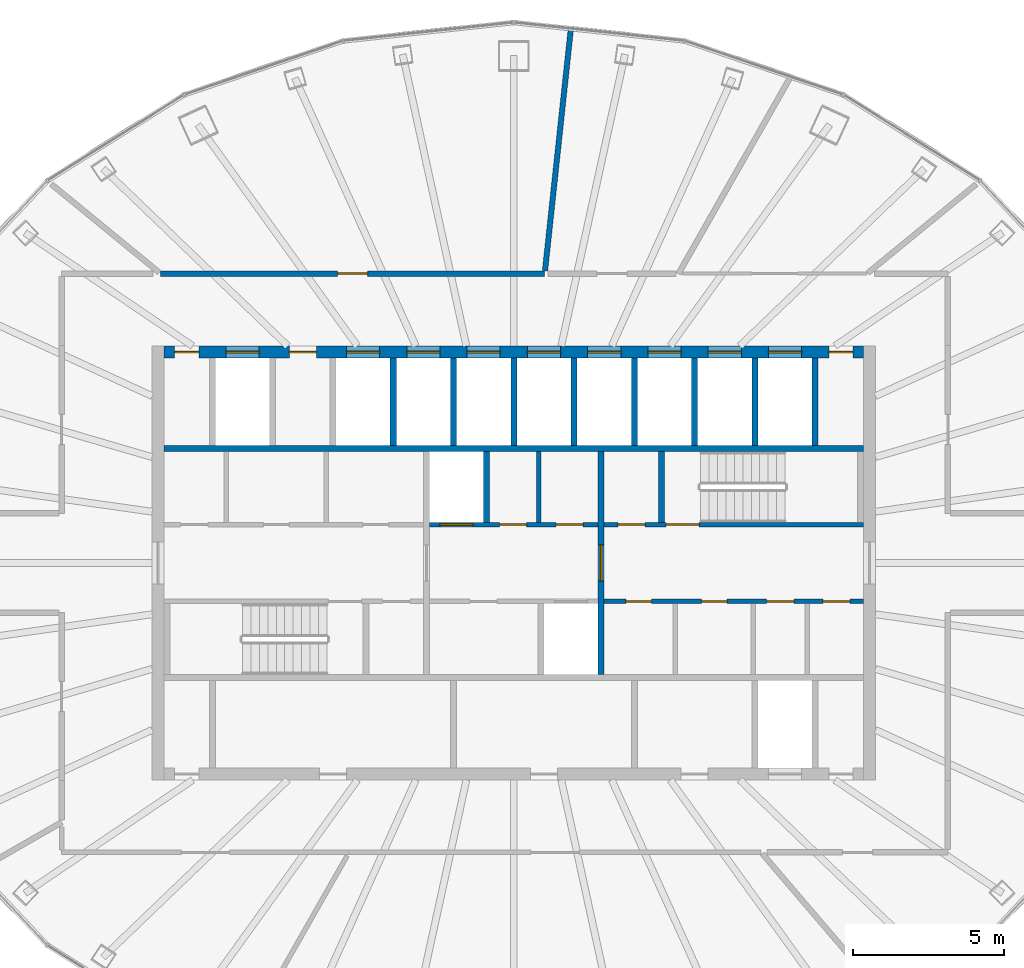
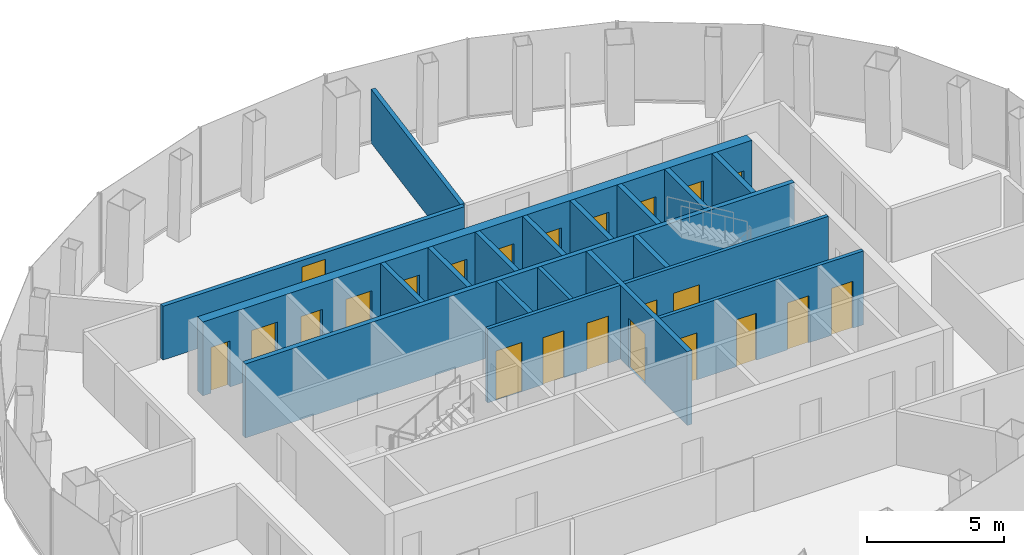
# One storey, part 9 of 11: 23 doors, 19 walls, 23 openings.
"""IFC4 building model written with IfcOpenShell, lengths in metres."""

from ifc_helpers import new_model, si_unit, direction, frame, frame_2d, origin, place, context, subcontext, project, spatial, rectangle, extrude, material, layer, layer_set, type_object, element, fill, save


model = new_model("IFC4")

# Units and contexts
model_context = context("Model", 3, precision=1e-05, world=origin(), true_north=direction((0.0, 1.0)))
body_context = subcontext(model_context, "Body", "Model", "MODEL_VIEW")
ifc_project = project(units=[si_unit("LENGTHUNIT", "METRE"), si_unit("AREAUNIT", "SQUARE_METRE"), si_unit("VOLUMEUNIT", "CUBIC_METRE"), si_unit("PLANEANGLEUNIT", "RADIAN"), si_unit("MASSUNIT", "GRAM", prefix="KILO")], contexts=[model_context])

# Site, building, storey
site_placement = place(None, origin())
site = spatial("IfcSite", under=ifc_project, at=site_placement, CompositionType="ELEMENT")
building_placement = place(site_placement, origin())
building = spatial("IfcBuilding", under=site, at=building_placement, Name="Siaravel Broadcast Tower", CompositionType="ELEMENT")
storey_placement = place(building_placement, frame((0.0, 0.0, 220.800048828125)))
storey = spatial("IfcBuildingStorey", under=building, at=storey_placement, Name="L53", CompositionType="ELEMENT", Elevation=220.800048828125)

# Wall
ifc_material_1 = material(Name="Concrete blockwork", Category="masonry")
ifc_layer_1 = layer(ifc_material_1, 0.14990234375)
ifc_layer_set_1 = layer_set([ifc_layer_1], Name="Concrete blockwork")
wall_type_1 = type_object("IfcWallType", Name="Core partition 150", PredefinedType="PARTITIONING", material=ifc_layer_set_1)
wall_1_placement = place(storey_placement, frame((0.827392578125, 1.35009765625, 0.0), z_axis=(0.0, 0.0, 1.0), x_axis=(0.0, 1.0, 0.0)))
element("IfcWall", 1, at=wall_1_placement, inside=storey, type_object=wall_type_1, Name="L53 core partition PNM0", PredefinedType="PARTITIONING", context=body_context, shape_type="SweptSolid", body=[
    extrude(rectangle(XDim=2.349853515625, YDim=0.14990234375, at=frame_2d((1.1748046875, 0.0))), origin(), (0.0, 0.0, 1.0), 3.300048828125),
])

# Wall, openings, doors
ifc_material_2 = material(Name="Concrete C60/75", Category="concrete")
ifc_layer_2 = layer(ifc_material_2, 0.39990234375)
ifc_layer_set_2 = layer_set([ifc_layer_2], Name="Concrete C60/75")
wall_type_2 = type_object("IfcWallType", Name="Core wall 400", PredefinedType="SHEAR", material=ifc_layer_set_2)
wall_2_placement = place(storey_placement, frame((-11.60009765625, 7.0, 0.0), z_axis=(0.0, 0.0, 1.0), x_axis=(1.0, 0.0, 0.0)))
wall_2 = element("IfcWall", 2, at=wall_2_placement, inside=storey, type_object=wall_type_2, Name="L53 core wall ON", PredefinedType="SHEAR", context=body_context, shape_type="SweptSolid", body=[
    extrude(rectangle(XDim=23.2001953125, YDim=0.39990234375, at=frame_2d((11.60009765625, 0.0))), origin(), (0.0, 0.0, 1.0), 3.300048828125),
])
opening_1_placement = place(wall_2_placement, frame((2.050048828125, 0.0, 0.0)))
opening_1 = element("IfcOpeningElement", 3, at=opening_1_placement, cuts=wall_2, Name="Opening LD-SV2-L53", PredefinedType="OPENING", context=body_context, shape_type="SweptSolid", body=[
    extrude(rectangle(XDim=1.10009765625, YDim=2.199951171875, at=frame_2d((0.550048828125, 1.10009765625))), frame((0.0, 0.2099609375, 0.0), z_axis=(0.0, -1.0, 0.0), x_axis=(1.0, 0.0, 0.0)), (0.0, 0.0, 1.0), 0.419921875),
])
opening_2_placement = place(wall_2_placement, frame((6.050048828125, 0.0, 0.0)))
opening_2 = element("IfcOpeningElement", 4, at=opening_2_placement, cuts=wall_2, Name="Opening LD-HP1-L53", PredefinedType="OPENING", context=body_context, shape_type="SweptSolid", body=[
    extrude(rectangle(XDim=1.10009765625, YDim=2.199951171875, at=frame_2d((0.550048828125, 1.10009765625))), frame((0.0, 0.2099609375, 0.0), z_axis=(0.0, -1.0, 0.0), x_axis=(1.0, 0.0, 0.0)), (0.0, 0.0, 1.0), 0.419921875),
])
opening_3_placement = place(wall_2_placement, frame((8.050048828125, 0.0, 0.0)))
opening_3 = element("IfcOpeningElement", 5, at=opening_3_placement, cuts=wall_2, Name="Opening LD-HP2-L53", PredefinedType="OPENING", context=body_context, shape_type="SweptSolid", body=[
    extrude(rectangle(XDim=1.10009765625, YDim=2.199951171875, at=frame_2d((0.550048828125, 1.10009765625))), frame((0.0, 0.2099609375, 0.0), z_axis=(0.0, -1.0, 0.0), x_axis=(1.0, 0.0, 0.0)), (0.0, 0.0, 1.0), 0.419921875),
])
opening_4_placement = place(wall_2_placement, frame((10.050048828125, 0.0, 0.0)))
opening_4 = element("IfcOpeningElement", 6, at=opening_4_placement, cuts=wall_2, Name="Opening LD-HP3-L53", PredefinedType="OPENING", context=body_context, shape_type="SweptSolid", body=[
    extrude(rectangle(XDim=1.10009765625, YDim=2.199951171875, at=frame_2d((0.550048828125, 1.10009765625))), frame((0.0, 0.2099609375, 0.0), z_axis=(0.0, -1.0, 0.0), x_axis=(1.0, 0.0, 0.0)), (0.0, 0.0, 1.0), 0.419921875),
])
opening_5_placement = place(wall_2_placement, frame((12.050048828125, 0.0, 0.0)))
opening_5 = element("IfcOpeningElement", 7, at=opening_5_placement, cuts=wall_2, Name="Opening LD-HP4-L53", PredefinedType="OPENING", context=body_context, shape_type="SweptSolid", body=[
    extrude(rectangle(XDim=1.10009765625, YDim=2.199951171875, at=frame_2d((0.550048828125, 1.10009765625))), frame((0.0, 0.2099609375, 0.0), z_axis=(0.0, -1.0, 0.0), x_axis=(1.0, 0.0, 0.0)), (0.0, 0.0, 1.0), 0.419921875),
])
opening_6_placement = place(wall_2_placement, frame((14.050048828125, 0.0, 0.0)))
opening_6 = element("IfcOpeningElement", 8, at=opening_6_placement, cuts=wall_2, Name="Opening LD-HP5-L53", PredefinedType="OPENING", context=body_context, shape_type="SweptSolid", body=[
    extrude(rectangle(XDim=1.10009765625, YDim=2.199951171875, at=frame_2d((0.550048828125, 1.10009765625))), frame((0.0, 0.2099609375, 0.0), z_axis=(0.0, -1.0, 0.0), x_axis=(1.0, 0.0, 0.0)), (0.0, 0.0, 1.0), 0.419921875),
])
opening_7_placement = place(wall_2_placement, frame((16.050048828125, 0.0, 0.0)))
opening_7 = element("IfcOpeningElement", 9, at=opening_7_placement, cuts=wall_2, Name="Opening LD-HP6-L53", PredefinedType="OPENING", context=body_context, shape_type="SweptSolid", body=[
    extrude(rectangle(XDim=1.10009765625, YDim=2.199951171875, at=frame_2d((0.550048828125, 1.10009765625))), frame((0.0, 0.2099609375, 0.0), z_axis=(0.0, -1.0, 0.0), x_axis=(1.0, 0.0, 0.0)), (0.0, 0.0, 1.0), 0.419921875),
])
opening_8_placement = place(wall_2_placement, frame((18.050048828125, 0.0, 0.0)))
opening_8 = element("IfcOpeningElement", 10, at=opening_8_placement, cuts=wall_2, Name="Opening LD-HP7-L53", PredefinedType="OPENING", context=body_context, shape_type="SweptSolid", body=[
    extrude(rectangle(XDim=1.10009765625, YDim=2.199951171875, at=frame_2d((0.550048828125, 1.10009765625))), frame((0.0, 0.2099609375, 0.0), z_axis=(0.0, -1.0, 0.0), x_axis=(1.0, 0.0, 0.0)), (0.0, 0.0, 1.0), 0.419921875),
])
opening_9_placement = place(wall_2_placement, frame((20.050048828125, 0.0, 0.0)))
opening_9 = element("IfcOpeningElement", 11, at=opening_9_placement, cuts=wall_2, Name="Opening LD-HP8-L53", PredefinedType="OPENING", context=body_context, shape_type="SweptSolid", body=[
    extrude(rectangle(XDim=1.10009765625, YDim=2.199951171875, at=frame_2d((0.550048828125, 1.10009765625))), frame((0.0, 0.2099609375, 0.0), z_axis=(0.0, -1.0, 0.0), x_axis=(1.0, 0.0, 0.0)), (0.0, 0.0, 1.0), 0.419921875),
])
opening_10_placement = place(wall_2_placement, frame((4.14990234375, 0.0, 0.0)))
opening_10 = element("IfcOpeningElement", 12, at=opening_10_placement, cuts=wall_2, Name="Opening L53-DFN1", PredefinedType="OPENING", context=body_context, shape_type="SweptSolid", body=[
    extrude(rectangle(XDim=0.89990234375, YDim=2.10009765625, at=frame_2d((0.449951171875, 1.050048828125))), frame((0.0, 0.2099609375, 0.0), z_axis=(0.0, -1.0, 0.0), x_axis=(1.0, 0.0, 0.0)), (0.0, 0.0, 1.0), 0.419921875),
])
opening_11_placement = place(wall_2_placement, frame((0.35009765625, 0.0, 0.0)))
opening_11 = element("IfcOpeningElement", 13, at=opening_11_placement, cuts=wall_2, Name="Opening L53-DRNW", PredefinedType="OPENING", context=body_context, shape_type="SweptSolid", body=[
    extrude(rectangle(XDim=0.800048828125, YDim=2.050048828125, at=frame_2d((0.39990234375, 1.02490234375))), frame((0.0, 0.2099609375, 0.0), z_axis=(0.0, -1.0, 0.0), x_axis=(1.0, 0.0, 0.0)), (0.0, 0.0, 1.0), 0.419921875),
])
opening_12_placement = place(wall_2_placement, frame((22.050048828125, 0.0, 0.0)))
opening_12 = element("IfcOpeningElement", 14, at=opening_12_placement, cuts=wall_2, Name="Opening L53-DRNE", PredefinedType="OPENING", context=body_context, shape_type="SweptSolid", body=[
    extrude(rectangle(XDim=0.800048828125, YDim=2.050048828125, at=frame_2d((0.39990234375, 1.02490234375))), frame((0.0, 0.2099609375, 0.0), z_axis=(0.0, -1.0, 0.0), x_axis=(1.0, 0.0, 0.0)), (0.0, 0.0, 1.0), 0.419921875),
])
ifc_material_3 = material(Name="Timber veneer", Category="wood")
door_type_1 = type_object("IfcDoorType", Name="Core room door 900", OperationType="SINGLE_SWING_LEFT", PredefinedType="DOOR", material=ifc_material_3)
door_1_placement = place(opening_10_placement, origin())
door_1 = element("IfcDoor", 15, at=door_1_placement, inside=storey, type_object=door_type_1, Name="L53 door DFN1", OperationType="SINGLE_SWING_LEFT", OverallHeight=2.10009765625, OverallWidth=0.89990234375, PredefinedType="DOOR", context=body_context, shape_type="SweptSolid", body=[
    extrude(rectangle(XDim=0.89990234375, YDim=2.10009765625, at=frame_2d((0.449951171875, 1.050048828125))), frame((0.0, 0.02490234375, 0.0), z_axis=(0.0, -1.0, 0.0), x_axis=(1.0, 0.0, 0.0)), (0.0, 0.0, 1.0), 0.050048828125),
])
fill(opening_10, door_1)
ifc_material_4 = material(Name="Stainless steel 316L", Category="steel")
door_type_2 = type_object("IfcDoorType", Name="Lift landing door 1100", OperationType="DOUBLE_DOOR_SLIDING", PredefinedType="DOOR", material=ifc_material_4)
door_2_placement = place(opening_2_placement, origin())
door_2 = element("IfcDoor", 16, at=door_2_placement, inside=storey, type_object=door_type_2, Name="Landing door HP1 L53", OperationType="DOUBLE_DOOR_SLIDING", OverallHeight=2.199951171875, OverallWidth=1.10009765625, PredefinedType="DOOR", context=body_context, shape_type="SweptSolid", body=[
    extrude(rectangle(XDim=1.10009765625, YDim=2.199951171875, at=frame_2d((0.550048828125, 1.10009765625))), frame((0.0, 0.02490234375, 0.0), z_axis=(0.0, -1.0, 0.0), x_axis=(1.0, 0.0, 0.0)), (0.0, 0.0, 1.0), 0.050048828125),
])
fill(opening_2, door_2)
door_3_placement = place(opening_3_placement, origin())
door_3 = element("IfcDoor", 17, at=door_3_placement, inside=storey, type_object=door_type_2, Name="Landing door HP2 L53", OperationType="DOUBLE_DOOR_SLIDING", OverallHeight=2.199951171875, OverallWidth=1.10009765625, PredefinedType="DOOR", context=body_context, shape_type="SweptSolid", body=[
    extrude(rectangle(XDim=1.10009765625, YDim=2.199951171875, at=frame_2d((0.550048828125, 1.10009765625))), frame((0.0, 0.02490234375, 0.0), z_axis=(0.0, -1.0, 0.0), x_axis=(1.0, 0.0, 0.0)), (0.0, 0.0, 1.0), 0.050048828125),
])
fill(opening_3, door_3)
door_4_placement = place(opening_4_placement, origin())
door_4 = element("IfcDoor", 18, at=door_4_placement, inside=storey, type_object=door_type_2, Name="Landing door HP3 L53", OperationType="DOUBLE_DOOR_SLIDING", OverallHeight=2.199951171875, OverallWidth=1.10009765625, PredefinedType="DOOR", context=body_context, shape_type="SweptSolid", body=[
    extrude(rectangle(XDim=1.10009765625, YDim=2.199951171875, at=frame_2d((0.550048828125, 1.10009765625))), frame((0.0, 0.02490234375, 0.0), z_axis=(0.0, -1.0, 0.0), x_axis=(1.0, 0.0, 0.0)), (0.0, 0.0, 1.0), 0.050048828125),
])
fill(opening_4, door_4)
door_5_placement = place(opening_5_placement, origin())
door_5 = element("IfcDoor", 19, at=door_5_placement, inside=storey, type_object=door_type_2, Name="Landing door HP4 L53", OperationType="DOUBLE_DOOR_SLIDING", OverallHeight=2.199951171875, OverallWidth=1.10009765625, PredefinedType="DOOR", context=body_context, shape_type="SweptSolid", body=[
    extrude(rectangle(XDim=1.10009765625, YDim=2.199951171875, at=frame_2d((0.550048828125, 1.10009765625))), frame((0.0, 0.02490234375, 0.0), z_axis=(0.0, -1.0, 0.0), x_axis=(1.0, 0.0, 0.0)), (0.0, 0.0, 1.0), 0.050048828125),
])
fill(opening_5, door_5)
door_6_placement = place(opening_6_placement, origin())
door_6 = element("IfcDoor", 20, at=door_6_placement, inside=storey, type_object=door_type_2, Name="Landing door HP5 L53", OperationType="DOUBLE_DOOR_SLIDING", OverallHeight=2.199951171875, OverallWidth=1.10009765625, PredefinedType="DOOR", context=body_context, shape_type="SweptSolid", body=[
    extrude(rectangle(XDim=1.10009765625, YDim=2.199951171875, at=frame_2d((0.550048828125, 1.10009765625))), frame((0.0, 0.02490234375, 0.0), z_axis=(0.0, -1.0, 0.0), x_axis=(1.0, 0.0, 0.0)), (0.0, 0.0, 1.0), 0.050048828125),
])
fill(opening_6, door_6)
door_7_placement = place(opening_7_placement, origin())
door_7 = element("IfcDoor", 21, at=door_7_placement, inside=storey, type_object=door_type_2, Name="Landing door HP6 L53", OperationType="DOUBLE_DOOR_SLIDING", OverallHeight=2.199951171875, OverallWidth=1.10009765625, PredefinedType="DOOR", context=body_context, shape_type="SweptSolid", body=[
    extrude(rectangle(XDim=1.10009765625, YDim=2.199951171875, at=frame_2d((0.550048828125, 1.10009765625))), frame((0.0, 0.02490234375, 0.0), z_axis=(0.0, -1.0, 0.0), x_axis=(1.0, 0.0, 0.0)), (0.0, 0.0, 1.0), 0.050048828125),
])
fill(opening_7, door_7)
door_8_placement = place(opening_8_placement, origin())
door_8 = element("IfcDoor", 22, at=door_8_placement, inside=storey, type_object=door_type_2, Name="Landing door HP7 L53", OperationType="DOUBLE_DOOR_SLIDING", OverallHeight=2.199951171875, OverallWidth=1.10009765625, PredefinedType="DOOR", context=body_context, shape_type="SweptSolid", body=[
    extrude(rectangle(XDim=1.10009765625, YDim=2.199951171875, at=frame_2d((0.550048828125, 1.10009765625))), frame((0.0, 0.02490234375, 0.0), z_axis=(0.0, -1.0, 0.0), x_axis=(1.0, 0.0, 0.0)), (0.0, 0.0, 1.0), 0.050048828125),
])
fill(opening_8, door_8)
door_9_placement = place(opening_9_placement, origin())
door_9 = element("IfcDoor", 23, at=door_9_placement, inside=storey, type_object=door_type_2, Name="Landing door HP8 L53", OperationType="DOUBLE_DOOR_SLIDING", OverallHeight=2.199951171875, OverallWidth=1.10009765625, PredefinedType="DOOR", context=body_context, shape_type="SweptSolid", body=[
    extrude(rectangle(XDim=1.10009765625, YDim=2.199951171875, at=frame_2d((0.550048828125, 1.10009765625))), frame((0.0, 0.02490234375, 0.0), z_axis=(0.0, -1.0, 0.0), x_axis=(1.0, 0.0, 0.0)), (0.0, 0.0, 1.0), 0.050048828125),
])
fill(opening_9, door_9)
ifc_material_5 = material(Name="Steel", Category="steel")
door_type_3 = type_object("IfcDoorType", Name="Riser door 800", OperationType="SINGLE_SWING_LEFT", PredefinedType="DOOR", material=ifc_material_5)
door_10_placement = place(opening_11_placement, origin())
door_10 = element("IfcDoor", 24, at=door_10_placement, inside=storey, type_object=door_type_3, Name="L53 door DRNW", OperationType="SINGLE_SWING_LEFT", OverallHeight=2.050048828125, OverallWidth=0.800048828125, PredefinedType="DOOR", context=body_context, shape_type="SweptSolid", body=[
    extrude(rectangle(XDim=0.800048828125, YDim=2.050048828125, at=frame_2d((0.39990234375, 1.02490234375))), frame((0.0, 0.02490234375, 0.0), z_axis=(0.0, -1.0, 0.0), x_axis=(1.0, 0.0, 0.0)), (0.0, 0.0, 1.0), 0.050048828125),
])
fill(opening_11, door_10)
door_11_placement = place(opening_12_placement, origin())
door_11 = element("IfcDoor", 25, at=door_11_placement, inside=storey, type_object=door_type_3, Name="L53 door DRNE", OperationType="SINGLE_SWING_LEFT", OverallHeight=2.050048828125, OverallWidth=0.800048828125, PredefinedType="DOOR", context=body_context, shape_type="SweptSolid", body=[
    extrude(rectangle(XDim=0.800048828125, YDim=2.050048828125, at=frame_2d((0.39990234375, 1.02490234375))), frame((0.0, 0.02490234375, 0.0), z_axis=(0.0, -1.0, 0.0), x_axis=(1.0, 0.0, 0.0)), (0.0, 0.0, 1.0), 0.050048828125),
])
fill(opening_12, door_11)
door_type_4 = type_object("IfcDoorType", Name="Service lift landing door 1100", OperationType="DOUBLE_DOOR_SLIDING", PredefinedType="DOOR", material=ifc_material_4)
door_12_placement = place(opening_1_placement, origin())
door_12 = element("IfcDoor", 26, at=door_12_placement, inside=storey, type_object=door_type_4, Name="Landing door SV2 L53", OperationType="DOUBLE_DOOR_SLIDING", OverallHeight=2.199951171875, OverallWidth=1.10009765625, PredefinedType="DOOR", context=body_context, shape_type="SweptSolid", body=[
    extrude(rectangle(XDim=1.10009765625, YDim=2.199951171875, at=frame_2d((0.550048828125, 1.10009765625))), frame((0.0, 0.02490234375, 0.0), z_axis=(0.0, -1.0, 0.0), x_axis=(1.0, 0.0, 0.0)), (0.0, 0.0, 1.0), 0.050048828125),
])
fill(opening_1, door_12)

ifc_material_6 = material(Name="Gypsum board partition", Category="gypsum")
ifc_layer_3 = layer(ifc_material_6, 0.14990234375)
ifc_layer_set_3 = layer_set([ifc_layer_3], Name="Gypsum board partition")
wall_type_3 = type_object("IfcWallType", Name="Corridor wall 150", PredefinedType="PARTITIONING", material=ifc_layer_set_3)
wall_3_placement = place(storey_placement, frame((3.0, -1.27490234375, 0.0), z_axis=(0.0, 0.0, 1.0), x_axis=(1.0, 0.0, 0.0)))
wall_3 = element("IfcWall", 27, at=wall_3_placement, inside=storey, type_object=wall_type_3, Name="L53 core partition CSE", PredefinedType="PARTITIONING", context=body_context, shape_type="SweptSolid", body=[
    extrude(rectangle(XDim=8.60009765625, YDim=0.14990234375, at=frame_2d((4.300048828125, 0.0))), origin(), (0.0, 0.0, 1.0), 3.300048828125),
])
opening_13_placement = place(wall_3_placement, frame((0.716064453125, 0.0, 0.0)))
opening_13 = element("IfcOpeningElement", 28, at=opening_13_placement, cuts=wall_3, Name="Opening L53-DSE0", PredefinedType="OPENING", context=body_context, shape_type="SweptSolid", body=[
    extrude(rectangle(XDim=0.85009765625, YDim=2.10009765625, at=frame_2d((0.425048828125, 1.050048828125))), frame((0.0, 0.0849609375, 0.0), z_axis=(0.0, -1.0, 0.0), x_axis=(1.0, 0.0, 0.0)), (0.0, 0.0, 1.0), 0.169921875),
])
opening_14_placement = place(wall_3_placement, frame((3.2294921875, 0.0, 0.0)))
opening_14 = element("IfcOpeningElement", 29, at=opening_14_placement, cuts=wall_3, Name="Opening L53-DSE1", PredefinedType="OPENING", context=body_context, shape_type="SweptSolid", body=[
    extrude(rectangle(XDim=0.85009765625, YDim=2.10009765625, at=frame_2d((0.425048828125, 1.050048828125))), frame((0.0, 0.0849609375, 0.0), z_axis=(0.0, -1.0, 0.0), x_axis=(1.0, 0.0, 0.0)), (0.0, 0.0, 1.0), 0.169921875),
])
opening_15_placement = place(wall_3_placement, frame((5.39208984375, 0.0, 0.0)))
opening_15 = element("IfcOpeningElement", 30, at=opening_15_placement, cuts=wall_3, Name="Opening L53-DSE2", PredefinedType="OPENING", context=body_context, shape_type="SweptSolid", body=[
    extrude(rectangle(XDim=0.89990234375, YDim=2.10009765625, at=frame_2d((0.449951171875, 1.050048828125))), frame((0.0, 0.0849609375, 0.0), z_axis=(0.0, -1.0, 0.0), x_axis=(1.0, 0.0, 0.0)), (0.0, 0.0, 1.0), 0.169921875),
])
opening_16_placement = place(wall_3_placement, frame((7.25341796875, 0.0, 0.0)))
opening_16 = element("IfcOpeningElement", 31, at=opening_16_placement, cuts=wall_3, Name="Opening L53-DSE3", PredefinedType="OPENING", context=body_context, shape_type="SweptSolid", body=[
    extrude(rectangle(XDim=0.89990234375, YDim=2.10009765625, at=frame_2d((0.449951171875, 1.050048828125))), frame((0.0, 0.0849609375, 0.0), z_axis=(0.0, -1.0, 0.0), x_axis=(1.0, 0.0, 0.0)), (0.0, 0.0, 1.0), 0.169921875),
])
door_13_placement = place(opening_15_placement, origin())
door_13 = element("IfcDoor", 32, at=door_13_placement, inside=storey, type_object=door_type_1, Name="L53 door DSE2", OperationType="SINGLE_SWING_LEFT", OverallHeight=2.10009765625, OverallWidth=0.89990234375, PredefinedType="DOOR", context=body_context, shape_type="SweptSolid", body=[
    extrude(rectangle(XDim=0.89990234375, YDim=2.10009765625, at=frame_2d((0.449951171875, 1.050048828125))), frame((0.0, 0.02490234375, 0.0), z_axis=(0.0, -1.0, 0.0), x_axis=(1.0, 0.0, 0.0)), (0.0, 0.0, 1.0), 0.050048828125),
])
fill(opening_15, door_13)
door_14_placement = place(opening_16_placement, origin())
door_14 = element("IfcDoor", 33, at=door_14_placement, inside=storey, type_object=door_type_1, Name="L53 door DSE3", OperationType="SINGLE_SWING_LEFT", OverallHeight=2.10009765625, OverallWidth=0.89990234375, PredefinedType="DOOR", context=body_context, shape_type="SweptSolid", body=[
    extrude(rectangle(XDim=0.89990234375, YDim=2.10009765625, at=frame_2d((0.449951171875, 1.050048828125))), frame((0.0, 0.02490234375, 0.0), z_axis=(0.0, -1.0, 0.0), x_axis=(1.0, 0.0, 0.0)), (0.0, 0.0, 1.0), 0.050048828125),
])
fill(opening_16, door_14)
door_type_5 = type_object("IfcDoorType", Name="Core toilet door 850", OperationType="SINGLE_SWING_LEFT", PredefinedType="DOOR", material=ifc_material_3)
door_15_placement = place(opening_13_placement, origin())
door_15 = element("IfcDoor", 34, at=door_15_placement, inside=storey, type_object=door_type_5, Name="L53 door DSE0", OperationType="SINGLE_SWING_LEFT", OverallHeight=2.10009765625, OverallWidth=0.85009765625, PredefinedType="DOOR", context=body_context, shape_type="SweptSolid", body=[
    extrude(rectangle(XDim=0.85009765625, YDim=2.10009765625, at=frame_2d((0.425048828125, 1.050048828125))), frame((0.0, 0.02490234375, 0.0), z_axis=(0.0, -1.0, 0.0), x_axis=(1.0, 0.0, 0.0)), (0.0, 0.0, 1.0), 0.050048828125),
])
fill(opening_13, door_15)
door_16_placement = place(opening_14_placement, origin())
door_16 = element("IfcDoor", 35, at=door_16_placement, inside=storey, type_object=door_type_5, Name="L53 door DSE1", OperationType="SINGLE_SWING_LEFT", OverallHeight=2.10009765625, OverallWidth=0.85009765625, PredefinedType="DOOR", context=body_context, shape_type="SweptSolid", body=[
    extrude(rectangle(XDim=0.85009765625, YDim=2.10009765625, at=frame_2d((0.425048828125, 1.050048828125))), frame((0.0, 0.02490234375, 0.0), z_axis=(0.0, -1.0, 0.0), x_axis=(1.0, 0.0, 0.0)), (0.0, 0.0, 1.0), 0.050048828125),
])
fill(opening_14, door_16)

# Wall, opening, door
ifc_layer_4 = layer(ifc_material_1, 0.179931640625)
ifc_layer_set_4 = layer_set([ifc_layer_4], Name="Concrete blockwork")
wall_type_4 = type_object("IfcWallType", Name="Service room fire partition 180", PredefinedType="PARTITIONING", material=ifc_layer_set_4)
wall_4_placement = place(storey_placement, frame((1.025390625, 9.60009765625, 0.0), z_axis=(0.0, 0.0, 1.0), x_axis=(-1.0, 0.0, 0.0)))
wall_4 = element("IfcWall", 36, at=wall_4_placement, inside=storey, type_object=wall_type_4, Name="L53 partition 2", PredefinedType="PARTITIONING", context=body_context, shape_type="SweptSolid", body=[
    extrude(rectangle(XDim=12.745361328125, YDim=0.179931640625, at=frame_2d((6.37255859375, 0.0))), origin(), (0.0, 0.0, 1.0), 2.39990234375),
])
opening_17_placement = place(wall_4_placement, frame((5.872802734375, 0.0, 0.0)))
opening_17 = element("IfcOpeningElement", 37, at=opening_17_placement, cuts=wall_4, Name="Opening L53-006", PredefinedType="OPENING", context=body_context, shape_type="SweptSolid", body=[
    extrude(rectangle(XDim=1.0, YDim=2.10009765625, at=frame_2d((0.5, 1.050048828125))), frame((0.0, 0.099853515625, 0.0), z_axis=(0.0, -1.0, 0.0), x_axis=(1.0, 0.0, 0.0)), (0.0, 0.0, 1.0), 0.199951171875),
])
door_type_6 = type_object("IfcDoorType", Name="Service room door 1000", OperationType="SINGLE_SWING_LEFT", PredefinedType="DOOR", material=ifc_material_5)
door_17_placement = place(opening_17_placement, origin())
door_17 = element("IfcDoor", 38, at=door_17_placement, inside=storey, type_object=door_type_6, Name="L53 door to Library", OperationType="SINGLE_SWING_RIGHT", OverallHeight=2.10009765625, OverallWidth=1.0, PredefinedType="DOOR", context=body_context, shape_type="SweptSolid", body=[
    extrude(rectangle(XDim=1.0, YDim=2.10009765625, at=frame_2d((0.5, 1.050048828125))), frame((0.0, 0.02490234375, 0.0), z_axis=(0.0, -1.0, 0.0), x_axis=(1.0, 0.0, 0.0)), (0.0, 0.0, 1.0), 0.050048828125),
])
fill(opening_17, door_17)

# Wall
wall_5_placement = place(storey_placement, frame((1.890380859375, 17.698486328125, 0.0), z_axis=(0.0, 0.0, 1.0), x_axis=(-0.106198071, -0.994344995, 0.0)))
element("IfcWall", 39, at=wall_5_placement, inside=storey, type_object=wall_type_4, Name="L53 partition 4", PredefinedType="PARTITIONING", context=body_context, shape_type="SweptSolid", body=[
    extrude(rectangle(XDim=8.05322265625, YDim=0.179931640625, at=frame_2d((4.026611328125, 0.0))), origin(), (0.0, 0.0, 1.0), 2.39990234375),
])

# Wall, openings, doors
ifc_layer_5 = layer(ifc_material_2, 0.14990234375)
ifc_layer_set_5 = layer_set([ifc_layer_5], Name="Concrete C60/75")
wall_type_5 = type_object("IfcWallType", Name="Shaft wall 150", PredefinedType="SHEAR", material=ifc_layer_set_5)
wall_6_placement = place(storey_placement, frame((-2.800048828125, 1.27490234375, 0.0), z_axis=(0.0, 0.0, 1.0), x_axis=(1.0, 0.0, 0.0)))
wall_6 = element("IfcWall", 40, at=wall_6_placement, inside=storey, type_object=wall_type_5, Name="L53 core wall CNM", PredefinedType="SHEAR", context=body_context, shape_type="SweptSolid", body=[
    extrude(rectangle(XDim=5.60009765625, YDim=0.14990234375, at=frame_2d((2.800048828125, 0.0))), origin(), (0.0, 0.0, 1.0), 3.300048828125),
])
opening_18_placement = place(wall_6_placement, frame((0.35009765625, 0.0, 0.0)))
opening_18 = element("IfcOpeningElement", 41, at=opening_18_placement, cuts=wall_6, Name="Opening LD-FL1-L53", PredefinedType="OPENING", context=body_context, shape_type="SweptSolid", body=[
    extrude(rectangle(XDim=1.10009765625, YDim=2.199951171875, at=frame_2d((0.550048828125, 1.10009765625))), frame((0.0, 0.0849609375, 0.0), z_axis=(0.0, -1.0, 0.0), x_axis=(1.0, 0.0, 0.0)), (0.0, 0.0, 1.0), 0.169921875),
])
opening_19_placement = place(wall_6_placement, frame((2.326171875, 0.0, 0.0)))
opening_19 = element("IfcOpeningElement", 42, at=opening_19_placement, cuts=wall_6, Name="Opening L53-DNM0", PredefinedType="OPENING", context=body_context, shape_type="SweptSolid", body=[
    extrude(rectangle(XDim=0.89990234375, YDim=2.10009765625, at=frame_2d((0.449951171875, 1.050048828125))), frame((0.0, 0.0849609375, 0.0), z_axis=(0.0, -1.0, 0.0), x_axis=(1.0, 0.0, 0.0)), (0.0, 0.0, 1.0), 0.169921875),
])
opening_20_placement = place(wall_6_placement, frame((4.201171875, 0.0, 0.0)))
opening_20 = element("IfcOpeningElement", 43, at=opening_20_placement, cuts=wall_6, Name="Opening L53-DNM1", PredefinedType="OPENING", context=body_context, shape_type="SweptSolid", body=[
    extrude(rectangle(XDim=0.89990234375, YDim=2.10009765625, at=frame_2d((0.449951171875, 1.050048828125))), frame((0.0, 0.0849609375, 0.0), z_axis=(0.0, -1.0, 0.0), x_axis=(1.0, 0.0, 0.0)), (0.0, 0.0, 1.0), 0.169921875),
])
door_18_placement = place(opening_19_placement, origin())
door_18 = element("IfcDoor", 44, at=door_18_placement, inside=storey, type_object=door_type_1, Name="L53 door DNM0", OperationType="SINGLE_SWING_LEFT", OverallHeight=2.10009765625, OverallWidth=0.89990234375, PredefinedType="DOOR", context=body_context, shape_type="SweptSolid", body=[
    extrude(rectangle(XDim=0.89990234375, YDim=2.10009765625, at=frame_2d((0.449951171875, 1.050048828125))), frame((0.0, 0.02490234375, 0.0), z_axis=(0.0, -1.0, 0.0), x_axis=(1.0, 0.0, 0.0)), (0.0, 0.0, 1.0), 0.050048828125),
])
fill(opening_19, door_18)
door_19_placement = place(opening_20_placement, origin())
door_19 = element("IfcDoor", 45, at=door_19_placement, inside=storey, type_object=door_type_1, Name="L53 door DNM1", OperationType="SINGLE_SWING_LEFT", OverallHeight=2.10009765625, OverallWidth=0.89990234375, PredefinedType="DOOR", context=body_context, shape_type="SweptSolid", body=[
    extrude(rectangle(XDim=0.89990234375, YDim=2.10009765625, at=frame_2d((0.449951171875, 1.050048828125))), frame((0.0, 0.02490234375, 0.0), z_axis=(0.0, -1.0, 0.0), x_axis=(1.0, 0.0, 0.0)), (0.0, 0.0, 1.0), 0.050048828125),
])
fill(opening_20, door_19)
door_type_7 = type_object("IfcDoorType", Name="Firefighting lift landing door 1100", OperationType="DOUBLE_DOOR_SLIDING", PredefinedType="DOOR", material=ifc_material_4)
door_20_placement = place(opening_18_placement, origin())
door_20 = element("IfcDoor", 46, at=door_20_placement, inside=storey, type_object=door_type_7, Name="Landing door FL1 L53", OperationType="DOUBLE_DOOR_SLIDING", OverallHeight=2.199951171875, OverallWidth=1.10009765625, PredefinedType="DOOR", context=body_context, shape_type="SweptSolid", body=[
    extrude(rectangle(XDim=1.10009765625, YDim=2.199951171875, at=frame_2d((0.550048828125, 1.10009765625))), frame((0.0, 0.02490234375, 0.0), z_axis=(0.0, -1.0, 0.0), x_axis=(1.0, 0.0, 0.0)), (0.0, 0.0, 1.0), 0.050048828125),
])
fill(opening_18, door_20)

wall_7_placement = place(storey_placement, frame((3.0, 1.27490234375, 0.0), z_axis=(0.0, 0.0, 1.0), x_axis=(1.0, 0.0, 0.0)))
wall_7 = element("IfcWall", 47, at=wall_7_placement, inside=storey, type_object=wall_type_5, Name="L53 core wall CNE", PredefinedType="SHEAR", context=body_context, shape_type="SweptSolid", body=[
    extrude(rectangle(XDim=8.60009765625, YDim=0.14990234375, at=frame_2d((4.300048828125, 0.0))), origin(), (0.0, 0.0, 1.0), 3.300048828125),
])
opening_21_placement = place(wall_7_placement, frame((2.050048828125, 0.0, 0.0)))
opening_21 = element("IfcOpeningElement", 48, at=opening_21_placement, cuts=wall_7, Name="Opening L53-DS-2", PredefinedType="OPENING", context=body_context, shape_type="SweptSolid", body=[
    extrude(rectangle(XDim=1.10009765625, YDim=2.14990234375, at=frame_2d((0.550048828125, 1.074951171875))), frame((0.0, 0.0849609375, 0.0), z_axis=(0.0, -1.0, 0.0), x_axis=(1.0, 0.0, 0.0)), (0.0, 0.0, 1.0), 0.169921875),
])
opening_22_placement = place(wall_7_placement, frame((0.449951171875, 0.0, 0.0)))
opening_22 = element("IfcOpeningElement", 49, at=opening_22_placement, cuts=wall_7, Name="Opening L53-DNE0", PredefinedType="OPENING", context=body_context, shape_type="SweptSolid", body=[
    extrude(rectangle(XDim=0.89990234375, YDim=2.10009765625, at=frame_2d((0.449951171875, 1.050048828125))), frame((0.0, 0.0849609375, 0.0), z_axis=(0.0, -1.0, 0.0), x_axis=(1.0, 0.0, 0.0)), (0.0, 0.0, 1.0), 0.169921875),
])
door_21_placement = place(opening_22_placement, origin())
door_21 = element("IfcDoor", 50, at=door_21_placement, inside=storey, type_object=door_type_1, Name="L53 door DNE0", OperationType="SINGLE_SWING_LEFT", OverallHeight=2.10009765625, OverallWidth=0.89990234375, PredefinedType="DOOR", context=body_context, shape_type="SweptSolid", body=[
    extrude(rectangle(XDim=0.89990234375, YDim=2.10009765625, at=frame_2d((0.449951171875, 1.050048828125))), frame((0.0, 0.02490234375, 0.0), z_axis=(0.0, -1.0, 0.0), x_axis=(1.0, 0.0, 0.0)), (0.0, 0.0, 1.0), 0.050048828125),
])
fill(opening_22, door_21)
door_type_8 = type_object("IfcDoorType", Name="Stair door 1100", OperationType="SINGLE_SWING_LEFT", PredefinedType="DOOR", material=ifc_material_5)
door_22_placement = place(opening_21_placement, origin())
door_22 = element("IfcDoor", 51, at=door_22_placement, inside=storey, type_object=door_type_8, Name="L53 door DS-2", OperationType="SINGLE_SWING_LEFT", OverallHeight=2.14990234375, OverallWidth=1.10009765625, PredefinedType="DOOR", context=body_context, shape_type="SweptSolid", body=[
    extrude(rectangle(XDim=1.10009765625, YDim=2.14990234375, at=frame_2d((0.550048828125, 1.074951171875))), frame((0.0, 0.02490234375, 0.0), z_axis=(0.0, -1.0, 0.0), x_axis=(1.0, 0.0, 0.0)), (0.0, 0.0, 1.0), 0.050048828125),
])
fill(opening_21, door_22)

# Walls
ifc_layer_6 = layer(ifc_material_2, 0.199951171875)
ifc_layer_set_6 = layer_set([ifc_layer_6], Name="Concrete C60/75")
wall_type_6 = type_object("IfcWallType", Name="Shaft wall 200", PredefinedType="SHEAR", material=ifc_layer_set_6)
wall_8_placement = place(storey_placement, frame((-11.60009765625, 3.800048828125, 0.0), z_axis=(0.0, 0.0, 1.0), x_axis=(1.0, 0.0, 0.0)))
element("IfcWall", 52, at=wall_8_placement, inside=storey, type_object=wall_type_6, Name="L53 core wall BN", PredefinedType="SHEAR", context=body_context, shape_type="SweptSolid", body=[
    extrude(rectangle(XDim=23.2001953125, YDim=0.199951171875, at=frame_2d((11.60009765625, 0.0))), origin(), (0.0, 0.0, 1.0), 3.300048828125),
])
for number, where, z_axis, x_axis, name in (
    (53, (-4.0, 3.89990234375, 0.0), (0.0, 0.0, 1.0), (0.0, 1.0, 0.0), "L53 core wall SWN3"),
    (54, (-2.0, 3.89990234375, 0.0), (0.0, 0.0, 1.0), (0.0, 1.0, 0.0), "L53 core wall SWN4"),
    (55, (0.0, 3.89990234375, 0.0), (0.0, 0.0, 1.0), (0.0, 1.0, 0.0), "L53 core wall SWN5"),
    (56, (2.0, 3.89990234375, 0.0), (0.0, 0.0, 1.0), (0.0, 1.0, 0.0), "L53 core wall SWN6"),
    (57, (4.0, 3.89990234375, 0.0), (0.0, 0.0, 1.0), (0.0, 1.0, 0.0), "L53 core wall SWN7"),
    (58, (6.0, 3.89990234375, 0.0), (0.0, 0.0, 1.0), (0.0, 1.0, 0.0), "L53 core wall SWN8"),
    (59, (8.0, 3.89990234375, 0.0), (0.0, 0.0, 1.0), (0.0, 1.0, 0.0), "L53 core wall SWN9"),
    (60, (10.0, 3.89990234375, 0.0), (0.0, 0.0, 1.0), (0.0, 1.0, 0.0), "L53 core wall SWN10"),
):
    element("IfcWall", number, at=place(storey_placement, frame(where, z_axis=z_axis, x_axis=x_axis)), inside=storey, type_object=wall_type_6, Name=name, PredefinedType="SHEAR", context=body_context, shape_type="SweptSolid", body=[
        extrude(rectangle(XDim=2.900146484375, YDim=0.199951171875, at=frame_2d((1.4501953125, 0.0))), origin(), (0.0, 0.0, 1.0), 3.300048828125),
    ])

# Wall, opening, door
wall_9_placement = place(storey_placement, frame((2.89990234375, -3.699951171875, 0.0), z_axis=(0.0, 0.0, 1.0), x_axis=(0.0, 1.0, 0.0)))
wall_9 = element("IfcWall", 61, at=wall_9_placement, inside=storey, type_object=wall_type_6, Name="L53 core wall LE", PredefinedType="SHEAR", context=body_context, shape_type="SweptSolid", body=[
    extrude(rectangle(XDim=7.39990234375, YDim=0.199951171875, at=frame_2d((3.699951171875, 0.0))), origin(), (0.0, 0.0, 1.0), 3.300048828125),
])
opening_23_placement = place(wall_9_placement, frame((3.10009765625, 0.0, 0.0)))
opening_23 = element("IfcOpeningElement", 62, at=opening_23_placement, cuts=wall_9, Name="Opening L53-DL-E", PredefinedType="OPENING", context=body_context, shape_type="SweptSolid", body=[
    extrude(rectangle(XDim=1.199951171875, YDim=2.199951171875, at=frame_2d((0.60009765625, 1.10009765625))), frame((0.0, 0.10986328125, 0.0), z_axis=(0.0, -1.0, 0.0), x_axis=(1.0, 0.0, 0.0)), (0.0, 0.0, 1.0), 0.219970703125),
])
door_type_9 = type_object("IfcDoorType", Name="Firefighting lobby door 1200", OperationType="SINGLE_SWING_LEFT", PredefinedType="DOOR", material=ifc_material_5)
door_23_placement = place(opening_23_placement, origin())
door_23 = element("IfcDoor", 63, at=door_23_placement, inside=storey, type_object=door_type_9, Name="L53 door DL-E", OperationType="SINGLE_SWING_LEFT", OverallHeight=2.199951171875, OverallWidth=1.199951171875, PredefinedType="DOOR", context=body_context, shape_type="SweptSolid", body=[
    extrude(rectangle(XDim=1.199951171875, YDim=2.199951171875, at=frame_2d((0.60009765625, 1.10009765625))), frame((0.0, 0.02490234375, 0.0), z_axis=(0.0, -1.0, 0.0), x_axis=(1.0, 0.0, 0.0)), (0.0, 0.0, 1.0), 0.050048828125),
])
fill(opening_23, door_23)

# Walls
for number, where, z_axis, x_axis, name in (
    (64, (-0.89990234375, 1.35009765625, 0.0), (0.0, 0.0, 1.0), (0.0, 1.0, 0.0), "L53 core wall FF1E"),
    (65, (4.89990234375, 1.35009765625, 0.0), (0.0, 0.0, 1.0), (0.0, 1.0, 0.0), "L53 core wall ST2W"),
):
    element("IfcWall", number, at=place(storey_placement, frame(where, z_axis=z_axis, x_axis=x_axis)), inside=storey, type_object=wall_type_6, Name=name, PredefinedType="SHEAR", context=body_context, shape_type="SweptSolid", body=[
        extrude(rectangle(XDim=2.349853515625, YDim=0.199951171875, at=frame_2d((1.1748046875, 0.0))), origin(), (0.0, 0.0, 1.0), 3.300048828125),
    ])

save(model, "model.ifc")
